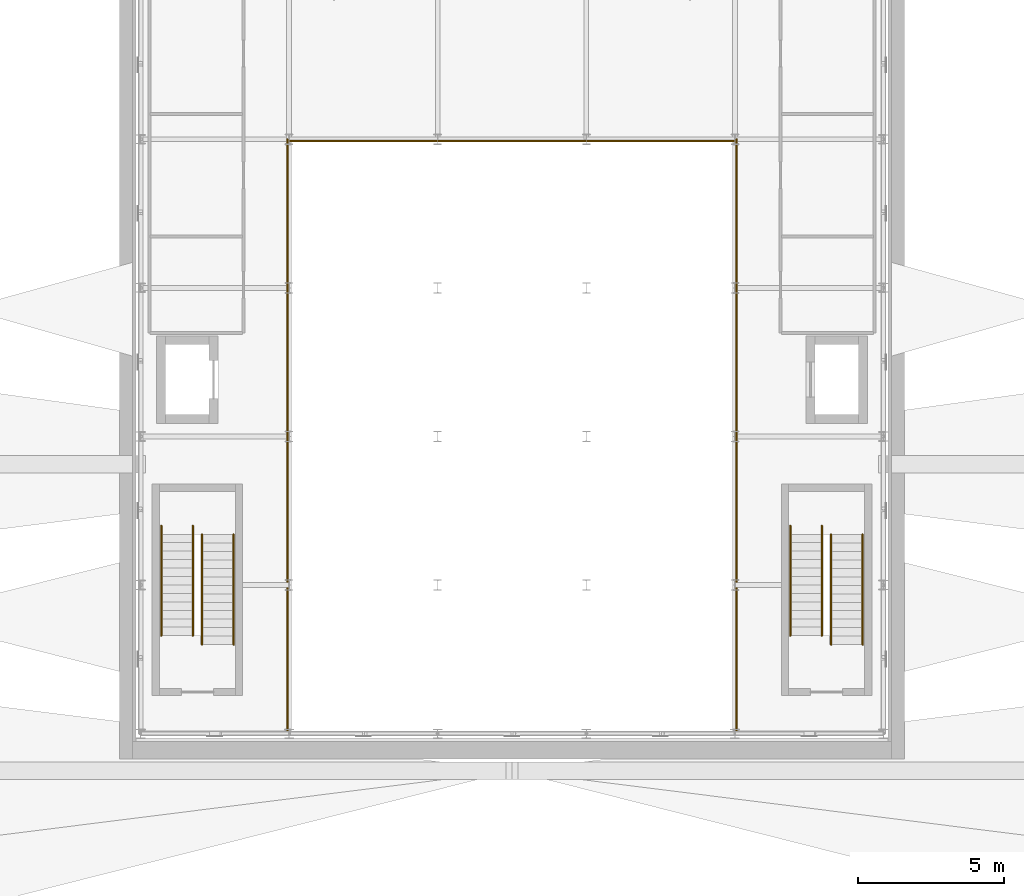
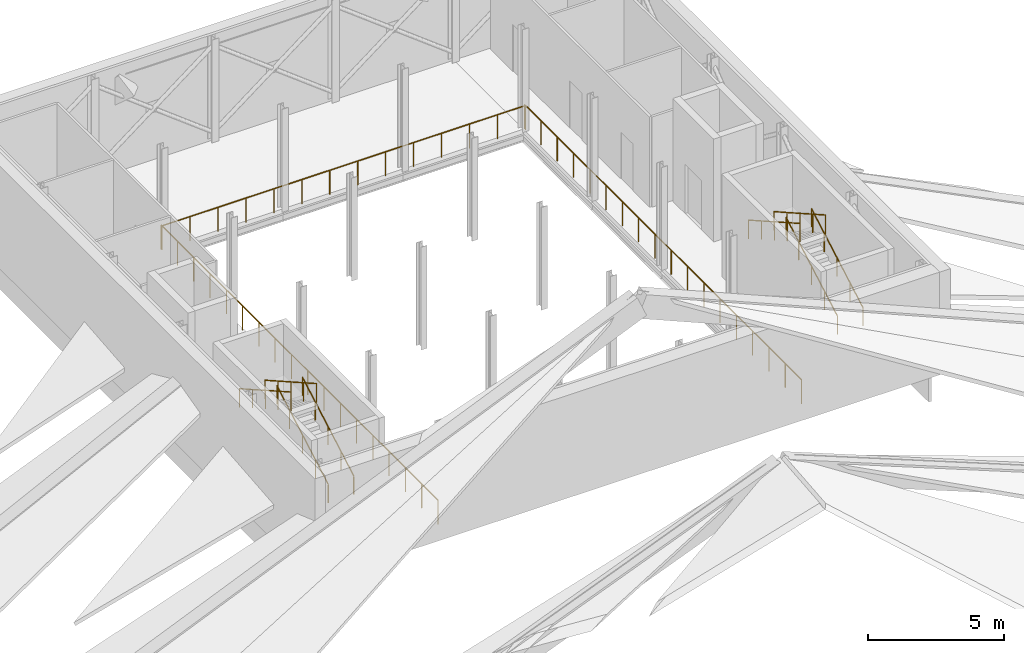
# One storey, part 7 of 7: 11 railings.
"""IFC4 building model written with IfcOpenShell, lengths in metres."""

from ifc_helpers import new_model, si_unit, direction, frame, origin, origin_2d, place, context, subcontext, project, spatial, circle, extrude, material, type_object, element, save


model = new_model("IFC4")

# Units and contexts
model_context = context("Model", 3, precision=1e-05, world=origin(), true_north=direction((0.0, 1.0)))
body_context = subcontext(model_context, "Body", "Model", "MODEL_VIEW")
ifc_project = project(units=[si_unit("LENGTHUNIT", "METRE"), si_unit("AREAUNIT", "SQUARE_METRE"), si_unit("VOLUMEUNIT", "CUBIC_METRE"), si_unit("PLANEANGLEUNIT", "RADIAN"), si_unit("MASSUNIT", "GRAM", prefix="KILO")], contexts=[model_context])

# Site, building, storey
site_placement = place(None, origin())
site = spatial("IfcSite", under=ifc_project, at=site_placement, CompositionType="ELEMENT")
building_placement = place(site_placement, origin())
building = spatial("IfcBuilding", under=site, at=building_placement, Name="Tide Square Theatres", CompositionType="ELEMENT")
storey_placement = place(building_placement, frame((0.0, 0.0, 19.39990234375)))
storey = spatial("IfcBuildingStorey", under=building, at=storey_placement, Name="L04", CompositionType="ELEMENT", Elevation=19.39990234375)

# Railings
ifc_material_1 = material(Name="Painted steel", Category="steel")
railing_type_1 = type_object("IfcRailingType", Name="Steel guard 1100", PredefinedType="GUARDRAIL", material=ifc_material_1)
railing_1_placement = place(storey_placement, frame((76.3056640625, 56.3359375, 0.0)))
element("IfcRailing", 1, at=railing_1_placement, inside=storey, type_object=railing_type_1, Name="Fly gallery 04 west guard", PredefinedType="GUARDRAIL", context=body_context, shape_type="SweptSolid", body=[
    extrude(circle(Radius=0.02490234375, at=origin_2d()), frame((0.0, 0.0, 1.0751953125), z_axis=(0.0, 1.0, 0.0), x_axis=(-1.0, 0.0, 0.0)), (0.0, 0.0, 1.0), 20.298583984375),
    extrude(circle(Radius=0.02001953125, at=origin_2d()), origin(), (0.0, 0.0, 1.0), 1.050048828125),
    extrude(circle(Radius=0.02001953125, at=origin_2d()), frame((0.0, 1.194091796875, 0.0)), (0.0, 0.0, 1.0), 1.050048828125),
    extrude(circle(Radius=0.02001953125, at=origin_2d()), frame((0.0, 2.38818359375, 0.0)), (0.0, 0.0, 1.0), 1.050048828125),
    extrude(circle(Radius=0.02001953125, at=origin_2d()), frame((0.0, 3.58203125, 0.0)), (0.0, 0.0, 1.0), 1.050048828125),
    extrude(circle(Radius=0.02001953125, at=origin_2d()), frame((0.0, 4.776123046875, 0.0)), (0.0, 0.0, 1.0), 1.050048828125),
    extrude(circle(Radius=0.02001953125, at=origin_2d()), frame((0.0, 5.97021484375, 0.0)), (0.0, 0.0, 1.0), 1.050048828125),
    extrude(circle(Radius=0.02001953125, at=origin_2d()), frame((0.0, 7.164306640625, 0.0)), (0.0, 0.0, 1.0), 1.050048828125),
    extrude(circle(Radius=0.02001953125, at=origin_2d()), frame((0.0, 8.358154296875, 0.0)), (0.0, 0.0, 1.0), 1.050048828125),
    extrude(circle(Radius=0.02001953125, at=origin_2d()), frame((0.0, 9.55224609375, 0.0)), (0.0, 0.0, 1.0), 1.050048828125),
    extrude(circle(Radius=0.02001953125, at=origin_2d()), frame((0.0, 10.746337890625, 0.0)), (0.0, 0.0, 1.0), 1.050048828125),
    extrude(circle(Radius=0.02001953125, at=origin_2d()), frame((0.0, 11.9404296875, 0.0)), (0.0, 0.0, 1.0), 1.050048828125),
    extrude(circle(Radius=0.02001953125, at=origin_2d()), frame((0.0, 13.13427734375, 0.0)), (0.0, 0.0, 1.0), 1.050048828125),
    extrude(circle(Radius=0.02001953125, at=origin_2d()), frame((0.0, 14.328369140625, 0.0)), (0.0, 0.0, 1.0), 1.050048828125),
    extrude(circle(Radius=0.02001953125, at=origin_2d()), frame((0.0, 15.5224609375, 0.0)), (0.0, 0.0, 1.0), 1.050048828125),
    extrude(circle(Radius=0.02001953125, at=origin_2d()), frame((0.0, 16.716552734375, 0.0)), (0.0, 0.0, 1.0), 1.050048828125),
    extrude(circle(Radius=0.02001953125, at=origin_2d()), frame((0.0, 17.910400390625, 0.0)), (0.0, 0.0, 1.0), 1.050048828125),
    extrude(circle(Radius=0.02001953125, at=origin_2d()), frame((0.0, 19.1044921875, 0.0)), (0.0, 0.0, 1.0), 1.050048828125),
    extrude(circle(Radius=0.02001953125, at=origin_2d()), frame((0.0, 20.298583984375, 0.0)), (0.0, 0.0, 1.0), 1.050048828125),
])
railing_2_placement = place(storey_placement, frame((91.6943359375, 56.3359375, 0.0)))
element("IfcRailing", 2, at=railing_2_placement, inside=storey, type_object=railing_type_1, Name="Fly gallery 04 east guard", PredefinedType="GUARDRAIL", context=body_context, shape_type="SweptSolid", body=[
    extrude(circle(Radius=0.02490234375, at=origin_2d()), frame((0.0, 0.0, 1.0751953125), z_axis=(0.0, 1.0, 0.0), x_axis=(-1.0, 0.0, 0.0)), (0.0, 0.0, 1.0), 20.298583984375),
    extrude(circle(Radius=0.02001953125, at=origin_2d()), origin(), (0.0, 0.0, 1.0), 1.050048828125),
    extrude(circle(Radius=0.02001953125, at=origin_2d()), frame((0.0, 1.194091796875, 0.0)), (0.0, 0.0, 1.0), 1.050048828125),
    extrude(circle(Radius=0.02001953125, at=origin_2d()), frame((0.0, 2.38818359375, 0.0)), (0.0, 0.0, 1.0), 1.050048828125),
    extrude(circle(Radius=0.02001953125, at=origin_2d()), frame((0.0, 3.58203125, 0.0)), (0.0, 0.0, 1.0), 1.050048828125),
    extrude(circle(Radius=0.02001953125, at=origin_2d()), frame((0.0, 4.776123046875, 0.0)), (0.0, 0.0, 1.0), 1.050048828125),
    extrude(circle(Radius=0.02001953125, at=origin_2d()), frame((0.0, 5.97021484375, 0.0)), (0.0, 0.0, 1.0), 1.050048828125),
    extrude(circle(Radius=0.02001953125, at=origin_2d()), frame((0.0, 7.164306640625, 0.0)), (0.0, 0.0, 1.0), 1.050048828125),
    extrude(circle(Radius=0.02001953125, at=origin_2d()), frame((0.0, 8.358154296875, 0.0)), (0.0, 0.0, 1.0), 1.050048828125),
    extrude(circle(Radius=0.02001953125, at=origin_2d()), frame((0.0, 9.55224609375, 0.0)), (0.0, 0.0, 1.0), 1.050048828125),
    extrude(circle(Radius=0.02001953125, at=origin_2d()), frame((0.0, 10.746337890625, 0.0)), (0.0, 0.0, 1.0), 1.050048828125),
    extrude(circle(Radius=0.02001953125, at=origin_2d()), frame((0.0, 11.9404296875, 0.0)), (0.0, 0.0, 1.0), 1.050048828125),
    extrude(circle(Radius=0.02001953125, at=origin_2d()), frame((0.0, 13.13427734375, 0.0)), (0.0, 0.0, 1.0), 1.050048828125),
    extrude(circle(Radius=0.02001953125, at=origin_2d()), frame((0.0, 14.328369140625, 0.0)), (0.0, 0.0, 1.0), 1.050048828125),
    extrude(circle(Radius=0.02001953125, at=origin_2d()), frame((0.0, 15.5224609375, 0.0)), (0.0, 0.0, 1.0), 1.050048828125),
    extrude(circle(Radius=0.02001953125, at=origin_2d()), frame((0.0, 16.716552734375, 0.0)), (0.0, 0.0, 1.0), 1.050048828125),
    extrude(circle(Radius=0.02001953125, at=origin_2d()), frame((0.0, 17.910400390625, 0.0)), (0.0, 0.0, 1.0), 1.050048828125),
    extrude(circle(Radius=0.02001953125, at=origin_2d()), frame((0.0, 19.1044921875, 0.0)), (0.0, 0.0, 1.0), 1.050048828125),
    extrude(circle(Radius=0.02001953125, at=origin_2d()), frame((0.0, 20.298583984375, 0.0)), (0.0, 0.0, 1.0), 1.050048828125),
])
railing_3_placement = place(storey_placement, frame((76.3056640625, 76.574462890625, 0.0)))
element("IfcRailing", 3, at=railing_3_placement, inside=storey, type_object=railing_type_1, Name="Fly gallery 04 rear guard", PredefinedType="GUARDRAIL", context=body_context, shape_type="SweptSolid", body=[
    extrude(circle(Radius=0.02490234375, at=origin_2d()), frame((0.0, 0.0, 1.0751953125), z_axis=(1.0, 0.0, 0.0), x_axis=(0.0, 1.0, 0.0)), (0.0, 0.0, 1.0), 15.388671875),
    extrude(circle(Radius=0.02001953125, at=origin_2d()), origin(), (0.0, 0.0, 1.0), 1.050048828125),
    extrude(circle(Radius=0.02001953125, at=origin_2d()), frame((1.183837890625, 0.0, 0.0)), (0.0, 0.0, 1.0), 1.050048828125),
    extrude(circle(Radius=0.02001953125, at=origin_2d()), frame((2.367431640625, 0.0, 0.0)), (0.0, 0.0, 1.0), 1.050048828125),
    extrude(circle(Radius=0.02001953125, at=origin_2d()), frame((3.55126953125, 0.0, 0.0)), (0.0, 0.0, 1.0), 1.050048828125),
    extrude(circle(Radius=0.02001953125, at=origin_2d()), frame((4.73486328125, 0.0, 0.0)), (0.0, 0.0, 1.0), 1.050048828125),
    extrude(circle(Radius=0.02001953125, at=origin_2d()), frame((5.918701171875, 0.0, 0.0)), (0.0, 0.0, 1.0), 1.050048828125),
    extrude(circle(Radius=0.02001953125, at=origin_2d()), frame((7.1025390625, 0.0, 0.0)), (0.0, 0.0, 1.0), 1.050048828125),
    extrude(circle(Radius=0.02001953125, at=origin_2d()), frame((8.2861328125, 0.0, 0.0)), (0.0, 0.0, 1.0), 1.050048828125),
    extrude(circle(Radius=0.02001953125, at=origin_2d()), frame((9.469970703125, 0.0, 0.0)), (0.0, 0.0, 1.0), 1.050048828125),
    extrude(circle(Radius=0.02001953125, at=origin_2d()), frame((10.65380859375, 0.0, 0.0)), (0.0, 0.0, 1.0), 1.050048828125),
    extrude(circle(Radius=0.02001953125, at=origin_2d()), frame((11.83740234375, 0.0, 0.0)), (0.0, 0.0, 1.0), 1.050048828125),
    extrude(circle(Radius=0.02001953125, at=origin_2d()), frame((13.021240234375, 0.0, 0.0)), (0.0, 0.0, 1.0), 1.050048828125),
    extrude(circle(Radius=0.02001953125, at=origin_2d()), frame((14.204833984375, 0.0, 0.0)), (0.0, 0.0, 1.0), 1.050048828125),
    extrude(circle(Radius=0.02001953125, at=origin_2d()), frame((15.388671875, 0.0, 0.0)), (0.0, 0.0, 1.0), 1.050048828125),
])
ifc_material_2 = material(Name="Painted steel", Category="steel")
railing_type_2 = type_object("IfcRailingType", Name="Steel handrail 850", PredefinedType="HANDRAIL", material=ifc_material_2)
for number, where, name in (
    (4, (74.466064453125, 59.325927734375, 0.164306640625), "Stair handrail 11"),
    (5, (73.385986328125, 59.325927734375, 0.164306640625), "Stair handrail 11"),
):
    element("IfcRailing", number, at=place(storey_placement, frame(where)), inside=storey, type_object=railing_type_2, Name=name, PredefinedType="HANDRAIL", context=body_context, shape_type="SweptSolid", body=[
        extrude(circle(Radius=0.02490234375, at=origin_2d()), frame((0.0, 0.0, 0.8251953125), z_axis=(0.0, 0.870081794457, 0.492907365491), x_axis=(-1.0, 0.0, 0.0)), (0.0, 0.0, 1.0), 4.3330078125),
        extrude(circle(Radius=0.02001953125, at=origin_2d()), origin(), (0.0, 0.0, 1.0), 0.800048828125),
        extrude(circle(Radius=0.02001953125, at=origin_2d()), frame((0.0, 0.9423828125, 0.533935546875)), (0.0, 0.0, 1.0), 0.800048828125),
        extrude(circle(Radius=0.02001953125, at=origin_2d()), frame((0.0, 1.885009765625, 1.06787109375)), (0.0, 0.0, 1.0), 0.800048828125),
        extrude(circle(Radius=0.02001953125, at=origin_2d()), frame((0.0, 2.82763671875, 1.601806640625)), (0.0, 0.0, 1.0), 0.800048828125),
        extrude(circle(Radius=0.02001953125, at=origin_2d()), frame((0.0, 3.77001953125, 2.1357421875)), (0.0, 0.0, 1.0), 0.800048828125),
    ])
for number, where, name in (
    (6, (73.06591796875, 63.400390625, 2.46435546875), "Stair handrail 11"),
    (7, (71.986083984375, 63.400390625, 2.46435546875), "Stair handrail 11"),
):
    element("IfcRailing", number, at=place(storey_placement, frame(where)), inside=storey, type_object=railing_type_2, Name=name, PredefinedType="HANDRAIL", context=body_context, shape_type="SweptSolid", body=[
        extrude(circle(Radius=0.02490234375, at=origin_2d()), frame((0.0, 0.0, 0.8251953125), z_axis=(0.0, -0.870081794457, 0.492907365491), x_axis=(1.0, 0.0, 0.0)), (0.0, 0.0, 1.0), 4.3330078125),
        extrude(circle(Radius=0.02001953125, at=origin_2d()), origin(), (0.0, 0.0, 1.0), 0.800048828125),
        extrude(circle(Radius=0.02001953125, at=origin_2d()), frame((0.0, -0.9423828125, 0.533935546875)), (0.0, 0.0, 1.0), 0.800048828125),
        extrude(circle(Radius=0.02001953125, at=origin_2d()), frame((0.0, -1.885009765625, 1.06787109375)), (0.0, 0.0, 1.0), 0.800048828125),
        extrude(circle(Radius=0.02001953125, at=origin_2d()), frame((0.0, -2.82763671875, 1.601806640625)), (0.0, 0.0, 1.0), 0.800048828125),
        extrude(circle(Radius=0.02001953125, at=origin_2d()), frame((0.0, -3.77001953125, 2.1357421875)), (0.0, 0.0, 1.0), 0.800048828125),
    ])
for number, where, name in (
    (8, (96.013916015625, 59.325927734375, 0.164306640625), "Stair handrail 12"),
    (9, (94.93408203125, 59.325927734375, 0.164306640625), "Stair handrail 12"),
):
    element("IfcRailing", number, at=place(storey_placement, frame(where)), inside=storey, type_object=railing_type_2, Name=name, PredefinedType="HANDRAIL", context=body_context, shape_type="SweptSolid", body=[
        extrude(circle(Radius=0.02490234375, at=origin_2d()), frame((0.0, 0.0, 0.8251953125), z_axis=(0.0, 0.870081794457, 0.492907365491), x_axis=(-1.0, 0.0, 0.0)), (0.0, 0.0, 1.0), 4.3330078125),
        extrude(circle(Radius=0.02001953125, at=origin_2d()), origin(), (0.0, 0.0, 1.0), 0.800048828125),
        extrude(circle(Radius=0.02001953125, at=origin_2d()), frame((0.0, 0.9423828125, 0.533935546875)), (0.0, 0.0, 1.0), 0.800048828125),
        extrude(circle(Radius=0.02001953125, at=origin_2d()), frame((0.0, 1.885009765625, 1.06787109375)), (0.0, 0.0, 1.0), 0.800048828125),
        extrude(circle(Radius=0.02001953125, at=origin_2d()), frame((0.0, 2.82763671875, 1.601806640625)), (0.0, 0.0, 1.0), 0.800048828125),
        extrude(circle(Radius=0.02001953125, at=origin_2d()), frame((0.0, 3.77001953125, 2.1357421875)), (0.0, 0.0, 1.0), 0.800048828125),
    ])
for number, where, name in (
    (10, (94.614013671875, 63.400390625, 2.46435546875), "Stair handrail 12"),
    (11, (93.533935546875, 63.400390625, 2.46435546875), "Stair handrail 12"),
):
    element("IfcRailing", number, at=place(storey_placement, frame(where)), inside=storey, type_object=railing_type_2, Name=name, PredefinedType="HANDRAIL", context=body_context, shape_type="SweptSolid", body=[
        extrude(circle(Radius=0.02490234375, at=origin_2d()), frame((0.0, 0.0, 0.8251953125), z_axis=(0.0, -0.870081794457, 0.492907365491), x_axis=(1.0, 0.0, 0.0)), (0.0, 0.0, 1.0), 4.3330078125),
        extrude(circle(Radius=0.02001953125, at=origin_2d()), origin(), (0.0, 0.0, 1.0), 0.800048828125),
        extrude(circle(Radius=0.02001953125, at=origin_2d()), frame((0.0, -0.9423828125, 0.533935546875)), (0.0, 0.0, 1.0), 0.800048828125),
        extrude(circle(Radius=0.02001953125, at=origin_2d()), frame((0.0, -1.885009765625, 1.06787109375)), (0.0, 0.0, 1.0), 0.800048828125),
        extrude(circle(Radius=0.02001953125, at=origin_2d()), frame((0.0, -2.82763671875, 1.601806640625)), (0.0, 0.0, 1.0), 0.800048828125),
        extrude(circle(Radius=0.02001953125, at=origin_2d()), frame((0.0, -3.77001953125, 2.1357421875)), (0.0, 0.0, 1.0), 0.800048828125),
    ])

save(model, "model.ifc")
